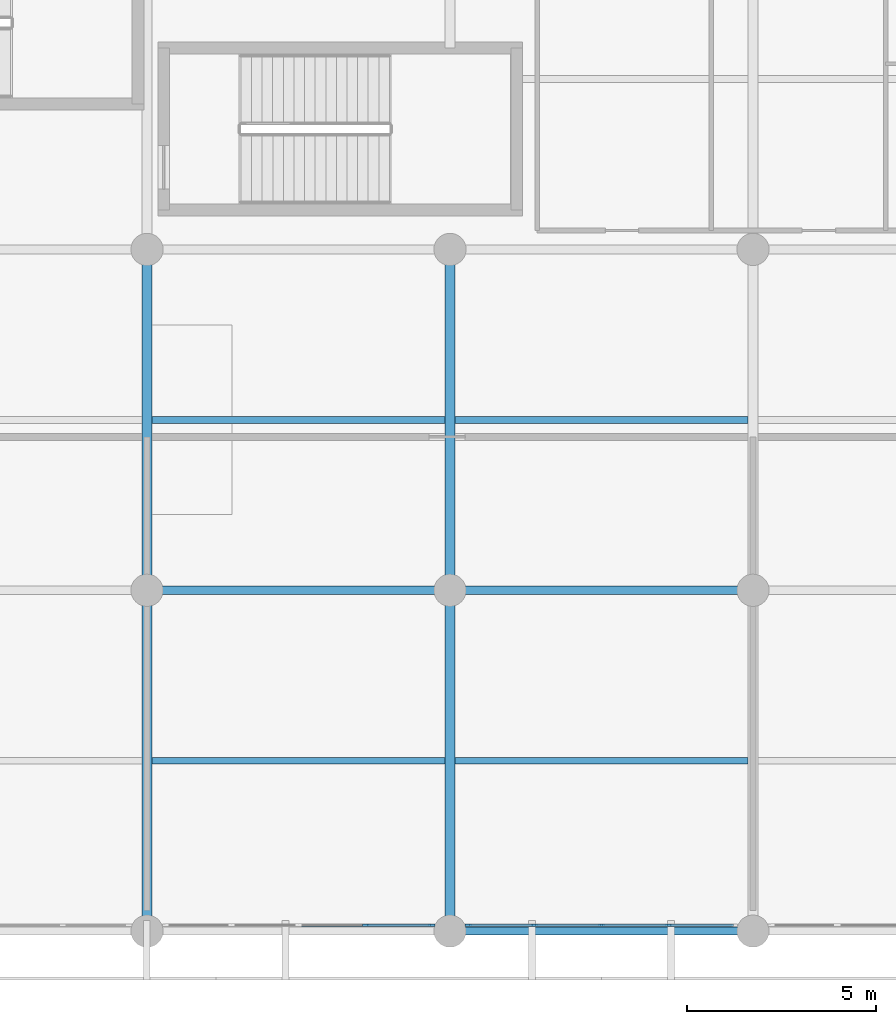
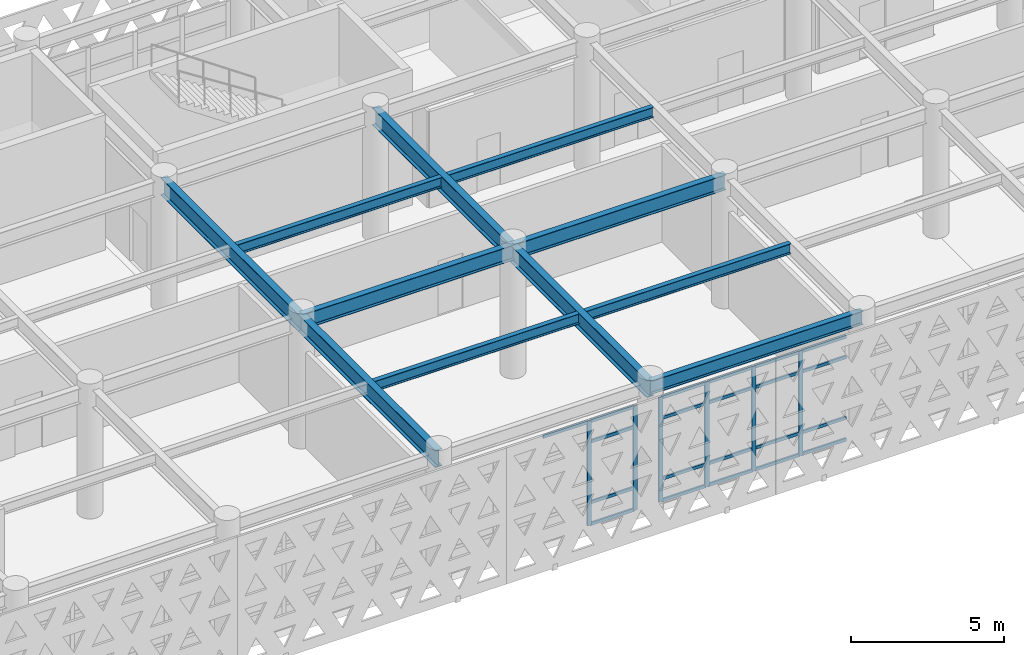
# One storey, part 15 of 84: 27 members, 11 beams, 2 elements without a shape of their own.
"""IFC4 building model written with IfcOpenShell, lengths in metres."""

from ifc_helpers import new_model, si_unit, direction, frame, origin, origin_2d, place, context, subcontext, project, spatial, rectangle, i_section, extrude, material, layer, layer_set, material_profile, profile_set, type_object, element, aggregate, save


model = new_model("IFC4")

# Units and contexts
model_context = context("Model", 3, precision=1e-05, world=origin(), true_north=direction((0.0, 1.0)))
body_context = subcontext(model_context, "Body", "Model", "MODEL_VIEW")
ifc_project = project(units=[si_unit("LENGTHUNIT", "METRE"), si_unit("AREAUNIT", "SQUARE_METRE"), si_unit("VOLUMEUNIT", "CUBIC_METRE"), si_unit("PLANEANGLEUNIT", "RADIAN"), si_unit("MASSUNIT", "GRAM", prefix="KILO")], contexts=[model_context])

# Site, building, storey
site_placement = place(None, origin())
site = spatial("IfcSite", under=ifc_project, at=site_placement, CompositionType="ELEMENT")
building_placement = place(site_placement, origin())
building = spatial("IfcBuilding", under=site, at=building_placement, Name="Tlacozan Convention Centre", CompositionType="ELEMENT")
storey_placement = place(building_placement, frame((0.0, 0.0, 6.0)))
storey = spatial("IfcBuildingStorey", under=building, at=storey_placement, Name="L01", CompositionType="ELEMENT", Elevation=6.0)

# Curtain wall, members
ifc_material_1 = material(Name="Dark Bronze Anodised Aluminium", Category="aluminium")
ifc_layer = layer(ifc_material_1, 0.159912109375)
ifc_layer_set = layer_set([ifc_layer], Name="Dark Bronze Anodised Aluminium")
curtain_wall_type = type_object("IfcCurtainWallType", Name="Unitised Congress L01 South CW02", PredefinedType="NOTDEFINED", material=ifc_layer_set)
curtain_wall_1_placement = place(storey_placement, origin())
curtain_wall_1 = element("IfcCurtainWall", 1, at=curtain_wall_1_placement, inside=storey, type_object=curtain_wall_type, Name="L01 CW-02 Run 61", PredefinedType="NOTDEFINED")
ifc_material_profile_1 = material_profile(ifc_material_1, rectangle(XDim=0.06494140625, YDim=0.159912109375, at=origin_2d()), Name="ALU 65x160")
ifc_profile_set_1 = profile_set([ifc_material_profile_1], Name="Dark Bronze Anodised Aluminium")
member_type_1 = type_object("IfcMemberType", Name="Curtain Wall Mullion 65x160", PredefinedType="MULLION", material=ifc_profile_set_1)
member_1_placement = place(storey_placement, frame((53.77490234375, 0.159912109375, 0.0), z_axis=(0.0, 0.0, 1.0), x_axis=(0.0, 1.0, 0.0)))
member_1 = element("IfcMember", 2, at=member_1_placement, type_object=member_type_1, Name="CW-02 mullion 4", PredefinedType="MULLION", context=body_context, shape_type="SweptSolid", body=[
    extrude(rectangle(XDim=0.06494140625, YDim=0.159912109375, at=origin_2d()), origin(), (0.0, 0.0, 1.0), 4.179931640625),
])
member_2_placement = place(storey_placement, frame((55.517578125, 0.159912109375, 0.0), z_axis=(0.0, 0.0, 1.0), x_axis=(0.0, 1.0, 0.0)))
member_2 = element("IfcMember", 3, at=member_2_placement, type_object=member_type_1, Name="CW-02 mullion 5", PredefinedType="MULLION", context=body_context, shape_type="SweptSolid", body=[
    extrude(rectangle(XDim=0.06494140625, YDim=0.159912109375, at=origin_2d()), origin(), (0.0, 0.0, 1.0), 4.179931640625),
])

curtain_wall_2_placement = place(storey_placement, origin())
curtain_wall_2 = element("IfcCurtainWall", 4, at=curtain_wall_2_placement, inside=storey, type_object=curtain_wall_type, Name="L01 CW-02 Run 62", PredefinedType="NOTDEFINED")
member_3_placement = place(storey_placement, frame((56.482421875, 0.159912109375, 0.0), z_axis=(0.0, 0.0, 1.0), x_axis=(0.0, 1.0, 0.0)))
member_3 = element("IfcMember", 5, at=member_3_placement, type_object=member_type_1, Name="CW-02 mullion 1", PredefinedType="MULLION", context=body_context, shape_type="SweptSolid", body=[
    extrude(rectangle(XDim=0.06494140625, YDim=0.159912109375, at=origin_2d()), origin(), (0.0, 0.0, 1.0), 4.179931640625),
])
member_4_placement = place(storey_placement, frame((58.22509765625, 0.159912109375, 0.0), z_axis=(0.0, 0.0, 1.0), x_axis=(0.0, 1.0, 0.0)))
member_4 = element("IfcMember", 6, at=member_4_placement, type_object=member_type_1, Name="CW-02 mullion 2", PredefinedType="MULLION", context=body_context, shape_type="SweptSolid", body=[
    extrude(rectangle(XDim=0.06494140625, YDim=0.159912109375, at=origin_2d()), origin(), (0.0, 0.0, 1.0), 4.179931640625),
])
member_5_placement = place(storey_placement, frame((60.0, 0.159912109375, 0.0), z_axis=(0.0, 0.0, 1.0), x_axis=(0.0, 1.0, 0.0)))
member_5 = element("IfcMember", 7, at=member_5_placement, type_object=member_type_1, Name="CW-02 mullion 3", PredefinedType="MULLION", context=body_context, shape_type="SweptSolid", body=[
    extrude(rectangle(XDim=0.06494140625, YDim=0.159912109375, at=origin_2d()), origin(), (0.0, 0.0, 1.0), 4.179931640625),
])
member_6_placement = place(storey_placement, frame((61.77490234375, 0.159912109375, 0.0), z_axis=(0.0, 0.0, 1.0), x_axis=(0.0, 1.0, 0.0)))
member_6 = element("IfcMember", 8, at=member_6_placement, type_object=member_type_1, Name="CW-02 mullion 4", PredefinedType="MULLION", context=body_context, shape_type="SweptSolid", body=[
    extrude(rectangle(XDim=0.06494140625, YDim=0.159912109375, at=origin_2d()), origin(), (0.0, 0.0, 1.0), 4.179931640625),
])

# Member
ifc_material_profile_2 = material_profile(ifc_material_1, rectangle(XDim=0.06494140625, YDim=0.125, at=origin_2d()), Name="ALU 65x125")
ifc_profile_set_2 = profile_set([ifc_material_profile_2], Name="Dark Bronze Anodised Aluminium")
member_type_2 = type_object("IfcMemberType", Name="Curtain Wall Transom 65x125", PredefinedType="USERDEFINED", material=ifc_profile_set_2)
member_7_placement = place(storey_placement, frame((52.032470703125, 0.159912109375, 4.1474609375), z_axis=(1.0, 0.0, 0.0), x_axis=(0.0, 1.0, 0.0)))
member_7 = element("IfcMember", 9, at=member_7_placement, type_object=member_type_2, Name="CW-02 transom 3.4", ObjectType="TRANSOM", PredefinedType="USERDEFINED", context=body_context, shape_type="SweptSolid", body=[
    extrude(rectangle(XDim=0.06494140625, YDim=0.125, at=origin_2d()), origin(), (0.0, 0.0, 1.0), 1.7099609375),
])

member_8_placement = place(storey_placement, frame((53.8076171875, 0.159912109375, 0.032470703125), z_axis=(1.0, 0.0, 0.0), x_axis=(0.0, 1.0, 0.0)))
member_8 = element("IfcMember", 10, at=member_8_placement, type_object=member_type_2, Name="CW-02 transom 4.1", ObjectType="TRANSOM", PredefinedType="USERDEFINED", context=body_context, shape_type="SweptSolid", body=[
    extrude(rectangle(XDim=0.06494140625, YDim=0.125, at=origin_2d()), origin(), (0.0, 0.0, 1.0), 1.677490234375),
])

member_9_placement = place(storey_placement, frame((53.8076171875, 0.159912109375, 0.89990234375), z_axis=(1.0, 0.0, 0.0), x_axis=(0.0, 1.0, 0.0)))
member_9 = element("IfcMember", 11, at=member_9_placement, type_object=member_type_2, Name="CW-02 transom 4.2", ObjectType="TRANSOM", PredefinedType="USERDEFINED", context=body_context, shape_type="SweptSolid", body=[
    extrude(rectangle(XDim=0.06494140625, YDim=0.125, at=origin_2d()), origin(), (0.0, 0.0, 1.0), 1.677490234375),
])

member_10_placement = place(storey_placement, frame((53.8076171875, 0.159912109375, 3.330078125), z_axis=(1.0, 0.0, 0.0), x_axis=(0.0, 1.0, 0.0)))
member_10 = element("IfcMember", 12, at=member_10_placement, type_object=member_type_2, Name="CW-02 transom 4.3", ObjectType="TRANSOM", PredefinedType="USERDEFINED", context=body_context, shape_type="SweptSolid", body=[
    extrude(rectangle(XDim=0.06494140625, YDim=0.125, at=origin_2d()), origin(), (0.0, 0.0, 1.0), 1.677490234375),
])

member_11_placement = place(storey_placement, frame((53.8076171875, 0.159912109375, 4.1474609375), z_axis=(1.0, 0.0, 0.0), x_axis=(0.0, 1.0, 0.0)))
member_11 = element("IfcMember", 13, at=member_11_placement, type_object=member_type_2, Name="CW-02 transom 4.4", ObjectType="TRANSOM", PredefinedType="USERDEFINED", context=body_context, shape_type="SweptSolid", body=[
    extrude(rectangle(XDim=0.06494140625, YDim=0.125, at=origin_2d()), origin(), (0.0, 0.0, 1.0), 1.677490234375),
])

aggregate(curtain_wall_1, [member_1, member_2, member_7, member_8, member_9, member_10, member_11])

member_12_placement = place(storey_placement, frame((56.514892578125, 0.159912109375, 0.032470703125), z_axis=(1.0, 0.0, 0.0), x_axis=(0.0, 1.0, 0.0)))
member_12 = element("IfcMember", 14, at=member_12_placement, type_object=member_type_2, Name="CW-02 transom 1.1", ObjectType="TRANSOM", PredefinedType="USERDEFINED", context=body_context, shape_type="SweptSolid", body=[
    extrude(rectangle(XDim=0.06494140625, YDim=0.125, at=origin_2d()), origin(), (0.0, 0.0, 1.0), 1.677490234375),
])

member_13_placement = place(storey_placement, frame((56.514892578125, 0.159912109375, 0.89990234375), z_axis=(1.0, 0.0, 0.0), x_axis=(0.0, 1.0, 0.0)))
member_13 = element("IfcMember", 15, at=member_13_placement, type_object=member_type_2, Name="CW-02 transom 1.2", ObjectType="TRANSOM", PredefinedType="USERDEFINED", context=body_context, shape_type="SweptSolid", body=[
    extrude(rectangle(XDim=0.06494140625, YDim=0.125, at=origin_2d()), origin(), (0.0, 0.0, 1.0), 1.677490234375),
])

member_14_placement = place(storey_placement, frame((56.514892578125, 0.159912109375, 3.330078125), z_axis=(1.0, 0.0, 0.0), x_axis=(0.0, 1.0, 0.0)))
member_14 = element("IfcMember", 16, at=member_14_placement, type_object=member_type_2, Name="CW-02 transom 1.3", ObjectType="TRANSOM", PredefinedType="USERDEFINED", context=body_context, shape_type="SweptSolid", body=[
    extrude(rectangle(XDim=0.06494140625, YDim=0.125, at=origin_2d()), origin(), (0.0, 0.0, 1.0), 1.677490234375),
])

member_15_placement = place(storey_placement, frame((56.514892578125, 0.159912109375, 4.1474609375), z_axis=(1.0, 0.0, 0.0), x_axis=(0.0, 1.0, 0.0)))
member_15 = element("IfcMember", 17, at=member_15_placement, type_object=member_type_2, Name="CW-02 transom 1.4", ObjectType="TRANSOM", PredefinedType="USERDEFINED", context=body_context, shape_type="SweptSolid", body=[
    extrude(rectangle(XDim=0.06494140625, YDim=0.125, at=origin_2d()), origin(), (0.0, 0.0, 1.0), 1.677490234375),
])

member_16_placement = place(storey_placement, frame((58.257568359375, 0.159912109375, 0.032470703125), z_axis=(1.0, 0.0, 0.0), x_axis=(0.0, 1.0, 0.0)))
member_16 = element("IfcMember", 18, at=member_16_placement, type_object=member_type_2, Name="CW-02 transom 2.1", ObjectType="TRANSOM", PredefinedType="USERDEFINED", context=body_context, shape_type="SweptSolid", body=[
    extrude(rectangle(XDim=0.06494140625, YDim=0.125, at=origin_2d()), origin(), (0.0, 0.0, 1.0), 1.7099609375),
])

member_17_placement = place(storey_placement, frame((58.257568359375, 0.159912109375, 0.89990234375), z_axis=(1.0, 0.0, 0.0), x_axis=(0.0, 1.0, 0.0)))
member_17 = element("IfcMember", 19, at=member_17_placement, type_object=member_type_2, Name="CW-02 transom 2.2", ObjectType="TRANSOM", PredefinedType="USERDEFINED", context=body_context, shape_type="SweptSolid", body=[
    extrude(rectangle(XDim=0.06494140625, YDim=0.125, at=origin_2d()), origin(), (0.0, 0.0, 1.0), 1.7099609375),
])

member_18_placement = place(storey_placement, frame((58.257568359375, 0.159912109375, 3.330078125), z_axis=(1.0, 0.0, 0.0), x_axis=(0.0, 1.0, 0.0)))
member_18 = element("IfcMember", 20, at=member_18_placement, type_object=member_type_2, Name="CW-02 transom 2.3", ObjectType="TRANSOM", PredefinedType="USERDEFINED", context=body_context, shape_type="SweptSolid", body=[
    extrude(rectangle(XDim=0.06494140625, YDim=0.125, at=origin_2d()), origin(), (0.0, 0.0, 1.0), 1.7099609375),
])

member_19_placement = place(storey_placement, frame((58.257568359375, 0.159912109375, 4.1474609375), z_axis=(1.0, 0.0, 0.0), x_axis=(0.0, 1.0, 0.0)))
member_19 = element("IfcMember", 21, at=member_19_placement, type_object=member_type_2, Name="CW-02 transom 2.4", ObjectType="TRANSOM", PredefinedType="USERDEFINED", context=body_context, shape_type="SweptSolid", body=[
    extrude(rectangle(XDim=0.06494140625, YDim=0.125, at=origin_2d()), origin(), (0.0, 0.0, 1.0), 1.7099609375),
])

member_20_placement = place(storey_placement, frame((60.032470703125, 0.159912109375, 0.032470703125), z_axis=(1.0, 0.0, 0.0), x_axis=(0.0, 1.0, 0.0)))
member_20 = element("IfcMember", 22, at=member_20_placement, type_object=member_type_2, Name="CW-02 transom 3.1", ObjectType="TRANSOM", PredefinedType="USERDEFINED", context=body_context, shape_type="SweptSolid", body=[
    extrude(rectangle(XDim=0.06494140625, YDim=0.125, at=origin_2d()), origin(), (0.0, 0.0, 1.0), 1.7099609375),
])

member_21_placement = place(storey_placement, frame((60.032470703125, 0.159912109375, 0.89990234375), z_axis=(1.0, 0.0, 0.0), x_axis=(0.0, 1.0, 0.0)))
member_21 = element("IfcMember", 23, at=member_21_placement, type_object=member_type_2, Name="CW-02 transom 3.2", ObjectType="TRANSOM", PredefinedType="USERDEFINED", context=body_context, shape_type="SweptSolid", body=[
    extrude(rectangle(XDim=0.06494140625, YDim=0.125, at=origin_2d()), origin(), (0.0, 0.0, 1.0), 1.7099609375),
])

member_22_placement = place(storey_placement, frame((60.032470703125, 0.159912109375, 3.330078125), z_axis=(1.0, 0.0, 0.0), x_axis=(0.0, 1.0, 0.0)))
member_22 = element("IfcMember", 24, at=member_22_placement, type_object=member_type_2, Name="CW-02 transom 3.3", ObjectType="TRANSOM", PredefinedType="USERDEFINED", context=body_context, shape_type="SweptSolid", body=[
    extrude(rectangle(XDim=0.06494140625, YDim=0.125, at=origin_2d()), origin(), (0.0, 0.0, 1.0), 1.7099609375),
])

member_23_placement = place(storey_placement, frame((60.032470703125, 0.159912109375, 4.1474609375), z_axis=(1.0, 0.0, 0.0), x_axis=(0.0, 1.0, 0.0)))
member_23 = element("IfcMember", 25, at=member_23_placement, type_object=member_type_2, Name="CW-02 transom 3.4", ObjectType="TRANSOM", PredefinedType="USERDEFINED", context=body_context, shape_type="SweptSolid", body=[
    extrude(rectangle(XDim=0.06494140625, YDim=0.125, at=origin_2d()), origin(), (0.0, 0.0, 1.0), 1.7099609375),
])

member_24_placement = place(storey_placement, frame((61.8076171875, 0.159912109375, 0.032470703125), z_axis=(1.0, 0.0, 0.0), x_axis=(0.0, 1.0, 0.0)))
member_24 = element("IfcMember", 26, at=member_24_placement, type_object=member_type_2, Name="CW-02 transom 4.1", ObjectType="TRANSOM", PredefinedType="USERDEFINED", context=body_context, shape_type="SweptSolid", body=[
    extrude(rectangle(XDim=0.06494140625, YDim=0.125, at=origin_2d()), origin(), (0.0, 0.0, 1.0), 1.677490234375),
])

member_25_placement = place(storey_placement, frame((61.8076171875, 0.159912109375, 0.89990234375), z_axis=(1.0, 0.0, 0.0), x_axis=(0.0, 1.0, 0.0)))
member_25 = element("IfcMember", 27, at=member_25_placement, type_object=member_type_2, Name="CW-02 transom 4.2", ObjectType="TRANSOM", PredefinedType="USERDEFINED", context=body_context, shape_type="SweptSolid", body=[
    extrude(rectangle(XDim=0.06494140625, YDim=0.125, at=origin_2d()), origin(), (0.0, 0.0, 1.0), 1.677490234375),
])

member_26_placement = place(storey_placement, frame((61.8076171875, 0.159912109375, 3.330078125), z_axis=(1.0, 0.0, 0.0), x_axis=(0.0, 1.0, 0.0)))
member_26 = element("IfcMember", 28, at=member_26_placement, type_object=member_type_2, Name="CW-02 transom 4.3", ObjectType="TRANSOM", PredefinedType="USERDEFINED", context=body_context, shape_type="SweptSolid", body=[
    extrude(rectangle(XDim=0.06494140625, YDim=0.125, at=origin_2d()), origin(), (0.0, 0.0, 1.0), 1.677490234375),
])

member_27_placement = place(storey_placement, frame((61.8076171875, 0.159912109375, 4.1474609375), z_axis=(1.0, 0.0, 0.0), x_axis=(0.0, 1.0, 0.0)))
member_27 = element("IfcMember", 29, at=member_27_placement, type_object=member_type_2, Name="CW-02 transom 4.4", ObjectType="TRANSOM", PredefinedType="USERDEFINED", context=body_context, shape_type="SweptSolid", body=[
    extrude(rectangle(XDim=0.06494140625, YDim=0.125, at=origin_2d()), origin(), (0.0, 0.0, 1.0), 1.677490234375),
])

aggregate(curtain_wall_2, [member_3, member_4, member_5, member_6, member_12, member_13, member_14, member_15, member_16, member_17, member_18, member_19, member_20, member_21, member_22, member_23, member_24, member_25, member_26, member_27])

# Beams
ifc_material_2 = material(Name="Steel ASTM A992 Grade 50", Category="steel")
ifc_material_profile_3 = material_profile(ifc_material_2, i_section(OverallWidth=0.22900390625, OverallDepth=0.612060546875, WebThickness=0.011962890625, FlangeThickness=0.01953125, FilletRadius=0.012939453125, at=origin_2d()), Name="IR 610x125.0")
ifc_profile_set_3 = profile_set([ifc_material_profile_3], Name="Steel ASTM A992 Grade 50")
beam_type_1 = type_object("IfcBeamType", Name="Floor Beam IR 610x125", PredefinedType="BEAM", material=ifc_profile_set_3)
for number, where, z_axis, x_axis, name in (
    (30, (48.0, 9.0, 4.833984375), (1.0, 0.0, 0.0), (0.0, 1.0, 0.0), "L01 Floor Beam IR 610x125 340"),
    (31, (56.0, 9.0, 4.833984375), (1.0, 0.0, 0.0), (0.0, 1.0, 0.0), "L01 Floor Beam IR 610x125 344"),
):
    element("IfcBeam", number, at=place(storey_placement, frame(where, z_axis=z_axis, x_axis=x_axis)), inside=storey, type_object=beam_type_1, Name=name, PredefinedType="BEAM", context=body_context, shape_type="SweptSolid", body=[
        extrude(i_section(OverallWidth=0.22900390625, OverallDepth=0.612060546875, WebThickness=0.011962890625, FlangeThickness=0.01953125, FilletRadius=0.012939453125, at=origin_2d()), origin(), (0.0, 0.0, 1.0), 8.0),
    ])
ifc_material_profile_4 = material_profile(ifc_material_2, i_section(OverallWidth=0.256103515625, OverallDepth=0.693115234375, WebThickness=0.014404296875, FlangeThickness=0.023681640625, FilletRadius=0.014892578125, at=origin_2d()), Name="IR 686x170.0")
ifc_profile_set_4 = profile_set([ifc_material_profile_4], Name="Steel ASTM A992 Grade 50")
beam_type_2 = type_object("IfcBeamType", Name="Girder Steel IR 686x170", PredefinedType="BEAM", material=ifc_profile_set_4)
for number, where, z_axis, x_axis, name in (
    (32, (48.0, 0.0, 4.79345703125), (0.0, 1.0, 0.0), (-1.0, 0.0, 0.0), "L01 Girder Steel IR 686x170 278"),
    (33, (48.0, 9.0, 4.79345703125), (0.0, 1.0, 0.0), (-1.0, 0.0, 0.0), "L01 Girder Steel IR 686x170 279"),
    (34, (56.0, 0.0, 4.79345703125), (0.0, 1.0, 0.0), (-1.0, 0.0, 0.0), "L01 Girder Steel IR 686x170 281"),
    (35, (56.0, 9.0, 4.79345703125), (0.0, 1.0, 0.0), (-1.0, 0.0, 0.0), "L01 Girder Steel IR 686x170 282"),
):
    element("IfcBeam", number, at=place(storey_placement, frame(where, z_axis=z_axis, x_axis=x_axis)), inside=storey, type_object=beam_type_2, Name=name, PredefinedType="BEAM", context=body_context, shape_type="SweptSolid", body=[
        extrude(i_section(OverallWidth=0.256103515625, OverallDepth=0.693115234375, WebThickness=0.014404296875, FlangeThickness=0.023681640625, FilletRadius=0.014892578125, at=origin_2d()), origin(), (0.0, 0.0, 1.0), 9.0),
    ])
ifc_material_profile_5 = material_profile(ifc_material_2, i_section(OverallWidth=0.2109375, OverallDepth=0.5390625, WebThickness=0.01171875, FlangeThickness=0.018798828125, FilletRadius=0.012939453125, at=origin_2d()), Name="IR 533x109.0")
ifc_profile_set_5 = profile_set([ifc_material_profile_5], Name="Steel ASTM A992 Grade 50")
beam_type_3 = type_object("IfcBeamType", Name="Perimeter Spandrel IR 533x109", PredefinedType="SPANDREL", material=ifc_profile_set_5)
beam_placement = place(storey_placement, frame((56.0, 0.0, 4.87060546875), z_axis=(1.0, 0.0, 0.0), x_axis=(0.0, 1.0, 0.0)))
element("IfcBeam", 36, at=beam_placement, inside=storey, type_object=beam_type_3, Name="L01 Perimeter Spandrel IR 533x109 343", PredefinedType="SPANDREL", context=body_context, shape_type="SweptSolid", body=[
    extrude(i_section(OverallWidth=0.2109375, OverallDepth=0.5390625, WebThickness=0.01171875, FlangeThickness=0.018798828125, FilletRadius=0.012939453125, at=origin_2d()), origin(), (0.0, 0.0, 1.0), 8.0),
])
ifc_material_profile_6 = material_profile(ifc_material_2, i_section(OverallWidth=0.179931640625, OverallDepth=0.4130859375, WebThickness=0.009765625, FlangeThickness=0.01611328125, FilletRadius=0.010986328125, at=origin_2d()), Name="IR 406x74.4")
ifc_profile_set_6 = profile_set([ifc_material_profile_6], Name="Steel ASTM A992 Grade 50")
beam_type_4 = type_object("IfcBeamType", Name="Secondary Joist IR 406x74.4", PredefinedType="JOIST", material=ifc_profile_set_6)
for number, where, z_axis, x_axis, name in (
    (37, (48.1259765625, 4.5, 4.93359375), (1.0, 0.0, 0.0), (0.0, 1.0, 0.0), "L01 Secondary Joist IR 406x74.4 377"),
    (38, (48.1259765625, 13.5, 4.93359375), (1.0, 0.0, 0.0), (0.0, 1.0, 0.0), "L01 Secondary Joist IR 406x74.4 378"),
    (39, (56.1259765625, 4.5, 4.93359375), (1.0, 0.0, 0.0), (0.0, 1.0, 0.0), "L01 Secondary Joist IR 406x74.4 379"),
    (40, (56.1259765625, 13.5, 4.93359375), (1.0, 0.0, 0.0), (0.0, 1.0, 0.0), "L01 Secondary Joist IR 406x74.4 380"),
):
    element("IfcBeam", number, at=place(storey_placement, frame(where, z_axis=z_axis, x_axis=x_axis)), inside=storey, type_object=beam_type_4, Name=name, PredefinedType="JOIST", context=body_context, shape_type="SweptSolid", body=[
        extrude(i_section(OverallWidth=0.179931640625, OverallDepth=0.4130859375, WebThickness=0.009765625, FlangeThickness=0.01611328125, FilletRadius=0.010986328125, at=origin_2d()), origin(), (0.0, 0.0, 1.0), 7.748046875),
    ])

save(model, "model.ifc")
